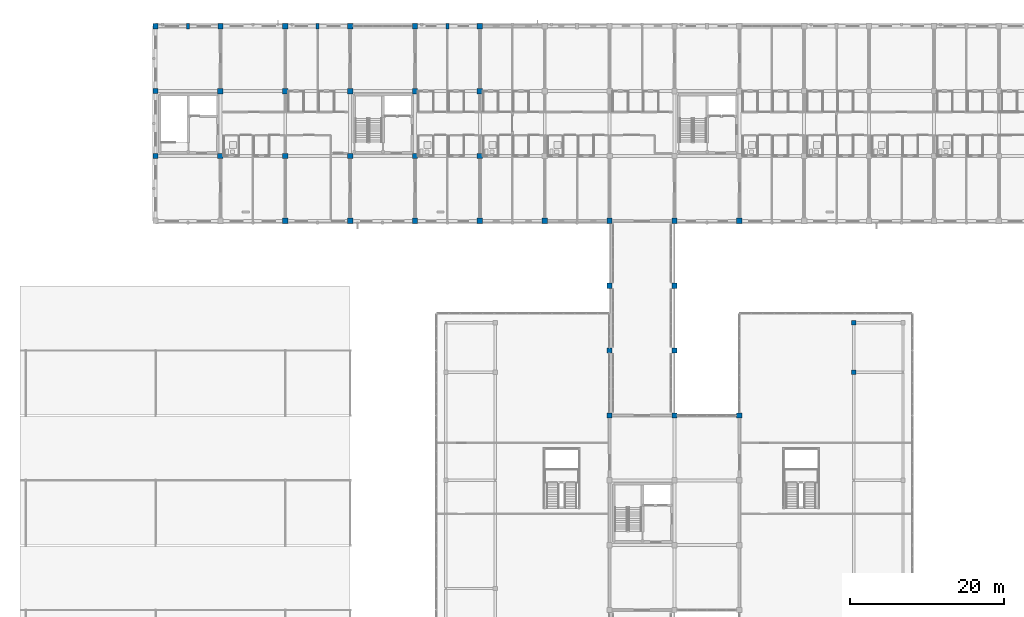
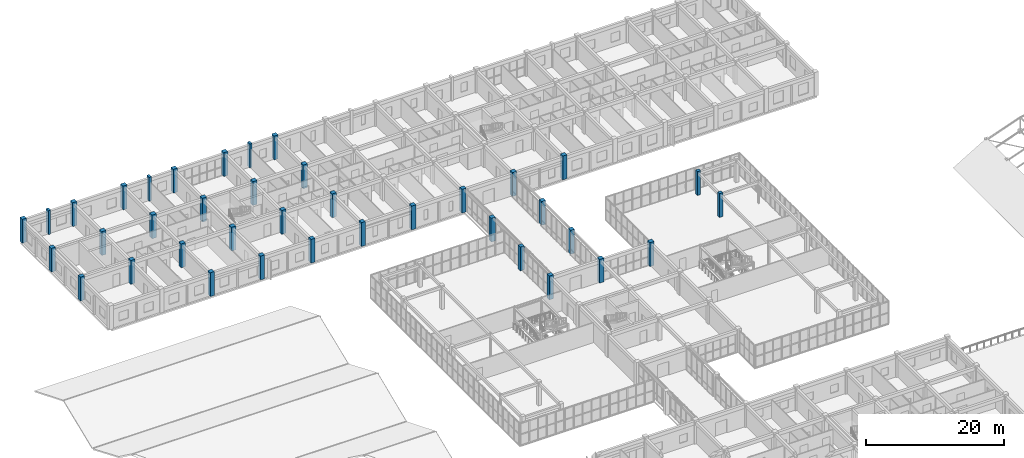
# One storey, part 9 of 140: 38 columns.
"""IFC4 building model written with IfcOpenShell, lengths in metres."""

from ifc_helpers import new_model, si_unit, direction, frame, origin, origin_2d, place, context, subcontext, project, spatial, rectangle, extrude, material, material_profile, profile_set, type_object, element, save


model = new_model("IFC4")

# Units and contexts
model_context = context("Model", 3, precision=1e-05, world=origin(), true_north=direction((0.0, 1.0)))
body_context = subcontext(model_context, "Body", "Model", "MODEL_VIEW")
ifc_project = project(units=[si_unit("LENGTHUNIT", "METRE"), si_unit("AREAUNIT", "SQUARE_METRE"), si_unit("VOLUMEUNIT", "CUBIC_METRE"), si_unit("PLANEANGLEUNIT", "RADIAN"), si_unit("MASSUNIT", "GRAM", prefix="KILO")], contexts=[model_context])

# Site, building, storey
site_placement = place(None, origin())
site = spatial("IfcSite", under=ifc_project, at=site_placement, CompositionType="ELEMENT")
building_placement = place(site_placement, origin())
building = spatial("IfcBuilding", under=site, at=building_placement, Name="Trelvath General Hospital", CompositionType="ELEMENT")
storey_placement = place(building_placement, frame((0.0, 0.0, 16.199951171875)))
storey = spatial("IfcBuildingStorey", under=building, at=storey_placement, Name="L04", CompositionType="ELEMENT", Elevation=16.199951171875)

# Columns
ifc_material_1 = material(Name="Concrete C40/50", Category="concrete")
ifc_material_profile_1 = material_profile(ifc_material_1, rectangle(XDim=0.550048828125, YDim=0.550048828125, at=origin_2d()), Name="RC550x550")
ifc_profile_set_1 = profile_set([ifc_material_profile_1], Name="Concrete C40/50")
column_type_1 = type_object("IfcColumnType", Name="Column RC550", PredefinedType="COLUMN", material=ifc_profile_set_1)
for number, where, z_axis, x_axis, name in (
    (1, (107.199951171875, 72.800048828125, 0.0), (0.0, 0.0, 1.0), (1.0, 0.0, 0.0), "Cube Interior Column CC-E04 L04"),
    (2, (107.199951171875, 79.199951171875, 0.0), (0.0, 0.0, 1.0), (1.0, 0.0, 0.0), "Cube Interior Column CC-E05 L04"),
):
    element("IfcColumn", number, at=place(storey_placement, frame(where, z_axis=z_axis, x_axis=x_axis)), inside=storey, type_object=column_type_1, Name=name, PredefinedType="COLUMN", context=body_context, shape_type="SweptSolid", body=[
        extrude(rectangle(XDim=0.550048828125, YDim=0.550048828125, at=origin_2d()), origin(), (0.0, 0.0, 1.0), 4.199951171875),
    ])
ifc_material_2 = material(Name="Concrete C40/50", Category="concrete")
ifc_material_profile_2 = material_profile(ifc_material_2, rectangle(XDim=0.679931640625, YDim=0.679931640625, at=origin_2d()), Name="RC680x680")
ifc_profile_set_2 = profile_set([ifc_material_profile_2], Name="Concrete C40/50")
column_type_2 = type_object("IfcColumnType", Name="Column RC680", PredefinedType="COLUMN", material=ifc_profile_set_2)
for number, where, z_axis, x_axis, name in (
    (3, (16.800048828125, 100.800048828125, 0.0), (0.0, 0.0, 1.0), (1.0, 0.0, 0.0), "Column C-3M L04"),
    (4, (16.800048828125, 109.199951171875, 0.0), (0.0, 0.0, 1.0), (1.0, 0.0, 0.0), "Column C-3N L04"),
    (5, (16.800048828125, 117.60009765625, 0.0), (0.0, 0.0, 1.0), (1.0, 0.0, 0.0), "Column C-3O L04"),
    (6, (25.199951171875, 117.60009765625, 0.0), (0.0, 0.0, 1.0), (1.0, 0.0, 0.0), "Column C-4O L04"),
    (7, (33.60009765625, 92.39990234375, 0.0), (0.0, 0.0, 1.0), (1.0, 0.0, 0.0), "Column C-5L L04"),
    (8, (33.60009765625, 117.60009765625, 0.0), (0.0, 0.0, 1.0), (1.0, 0.0, 0.0), "Column C-5O L04"),
    (9, (42.0, 92.39990234375, 0.0), (0.0, 0.0, 1.0), (1.0, 0.0, 0.0), "Column C-6L L04"),
    (10, (42.0, 117.60009765625, 0.0), (0.0, 0.0, 1.0), (1.0, 0.0, 0.0), "Column C-6O L04"),
    (11, (50.39990234375, 92.39990234375, 0.0), (0.0, 0.0, 1.0), (1.0, 0.0, 0.0), "Column C-7L L04"),
    (12, (50.39990234375, 117.60009765625, 0.0), (0.0, 0.0, 1.0), (1.0, 0.0, 0.0), "Column C-7O L04"),
    (13, (58.800048828125, 92.39990234375, 0.0), (0.0, 0.0, 1.0), (1.0, 0.0, 0.0), "Column C-8L L04"),
    (14, (58.800048828125, 117.60009765625, 0.0), (0.0, 0.0, 1.0), (1.0, 0.0, 0.0), "Column C-8O L04"),
    (15, (67.199951171875, 92.39990234375, 0.0), (0.0, 0.0, 1.0), (1.0, 0.0, 0.0), "Column C-9L L04"),
    (16, (75.60009765625, 67.199951171875, 0.0), (0.0, 0.0, 1.0), (1.0, 0.0, 0.0), "Column C-10I L04"),
    (17, (75.60009765625, 75.60009765625, 0.0), (0.0, 0.0, 1.0), (1.0, 0.0, 0.0), "Column C-10J L04"),
    (18, (75.60009765625, 84.0, 0.0), (0.0, 0.0, 1.0), (1.0, 0.0, 0.0), "Column C-10K L04"),
    (19, (75.60009765625, 92.39990234375, 0.0), (0.0, 0.0, 1.0), (1.0, 0.0, 0.0), "Column C-10L L04"),
    (20, (84.0, 67.199951171875, 0.0), (0.0, 0.0, 1.0), (1.0, 0.0, 0.0), "Column C-11I L04"),
    (21, (84.0, 75.60009765625, 0.0), (0.0, 0.0, 1.0), (1.0, 0.0, 0.0), "Column C-11J L04"),
    (22, (84.0, 84.0, 0.0), (0.0, 0.0, 1.0), (1.0, 0.0, 0.0), "Column C-11K L04"),
    (23, (84.0, 92.39990234375, 0.0), (0.0, 0.0, 1.0), (1.0, 0.0, 0.0), "Column C-11L L04"),
    (24, (92.39990234375, 67.199951171875, 0.0), (0.0, 0.0, 1.0), (1.0, 0.0, 0.0), "Column C-12I L04"),
    (25, (92.39990234375, 92.39990234375, 0.0), (0.0, 0.0, 1.0), (1.0, 0.0, 0.0), "Column C-12L L04"),
):
    element("IfcColumn", number, at=place(storey_placement, frame(where, z_axis=z_axis, x_axis=x_axis)), inside=storey, type_object=column_type_2, Name=name, PredefinedType="COLUMN", context=body_context, shape_type="SweptSolid", body=[
        extrude(rectangle(XDim=0.679931640625, YDim=0.679931640625, at=origin_2d()), origin(), (0.0, 0.0, 1.0), 4.199951171875),
    ])
ifc_material_3 = material(Name="Concrete C40/50", Category="concrete")
ifc_material_profile_3 = material_profile(ifc_material_3, rectangle(XDim=0.699951171875, YDim=0.699951171875, at=origin_2d()), Name="RC700x700")
ifc_profile_set_3 = profile_set([ifc_material_profile_3], Name="Concrete C40/50")
column_type_3 = type_object("IfcColumnType", Name="Column RC700", PredefinedType="COLUMN", material=ifc_profile_set_3)
for number, where, z_axis, x_axis, name in (
    (26, (25.199951171875, 100.800048828125, 0.0), (0.0, 0.0, 1.0), (1.0, 0.0, 0.0), "Column C-4M L04"),
    (27, (25.199951171875, 109.199951171875, 0.0), (0.0, 0.0, 1.0), (1.0, 0.0, 0.0), "Column C-4N L04"),
    (28, (33.60009765625, 100.800048828125, 0.0), (0.0, 0.0, 1.0), (1.0, 0.0, 0.0), "Column C-5M L04"),
    (29, (33.60009765625, 109.199951171875, 0.0), (0.0, 0.0, 1.0), (1.0, 0.0, 0.0), "Column C-5N L04"),
    (30, (42.0, 100.800048828125, 0.0), (0.0, 0.0, 1.0), (1.0, 0.0, 0.0), "Column C-6M L04"),
    (31, (42.0, 109.199951171875, 0.0), (0.0, 0.0, 1.0), (1.0, 0.0, 0.0), "Column C-6N L04"),
    (32, (50.39990234375, 100.800048828125, 0.0), (0.0, 0.0, 1.0), (1.0, 0.0, 0.0), "Column C-7M L04"),
    (33, (50.39990234375, 109.199951171875, 0.0), (0.0, 0.0, 1.0), (1.0, 0.0, 0.0), "Column C-7N L04"),
    (34, (58.800048828125, 100.800048828125, 0.0), (0.0, 0.0, 1.0), (1.0, 0.0, 0.0), "Column C-8M L04"),
    (35, (58.800048828125, 109.199951171875, 0.0), (0.0, 0.0, 1.0), (1.0, 0.0, 0.0), "Column C-8N L04"),
):
    element("IfcColumn", number, at=place(storey_placement, frame(where, z_axis=z_axis, x_axis=x_axis)), inside=storey, type_object=column_type_3, Name=name, PredefinedType="COLUMN", context=body_context, shape_type="SweptSolid", body=[
        extrude(rectangle(XDim=0.699951171875, YDim=0.699951171875, at=origin_2d()), origin(), (0.0, 0.0, 1.0), 4.199951171875),
    ])
ifc_material_4 = material(Name="Concrete C40/50", Category="concrete")
ifc_material_profile_4 = material_profile(ifc_material_4, rectangle(XDim=0.3798828125, YDim=0.679931640625, at=origin_2d()), Name="RC380x680")
ifc_profile_set_4 = profile_set([ifc_material_profile_4], Name="Concrete C40/50")
column_type_4 = type_object("IfcColumnType", Name="Pilaster RC380x680", PredefinedType="PILASTER", material=ifc_profile_set_4)
for number, where, z_axis, x_axis, name in (
    (36, (21.0, 117.60009765625, 0.0), (0.0, 0.0, 1.0), (1.0, 0.0, 0.0), "Facade Pilaster PL-N02 L04"),
    (37, (37.800048828125, 117.60009765625, 0.0), (0.0, 0.0, 1.0), (1.0, 0.0, 0.0), "Facade Pilaster PL-N04 L04"),
    (38, (54.60009765625, 117.60009765625, 0.0), (0.0, 0.0, 1.0), (1.0, 0.0, 0.0), "Facade Pilaster PL-N06 L04"),
):
    element("IfcColumn", number, at=place(storey_placement, frame(where, z_axis=z_axis, x_axis=x_axis)), inside=storey, type_object=column_type_4, Name=name, PredefinedType="PILASTER", context=body_context, shape_type="SweptSolid", body=[
        extrude(rectangle(XDim=0.3798828125, YDim=0.679931640625, at=origin_2d()), origin(), (0.0, 0.0, 1.0), 4.199951171875),
    ])

save(model, "model.ifc")
